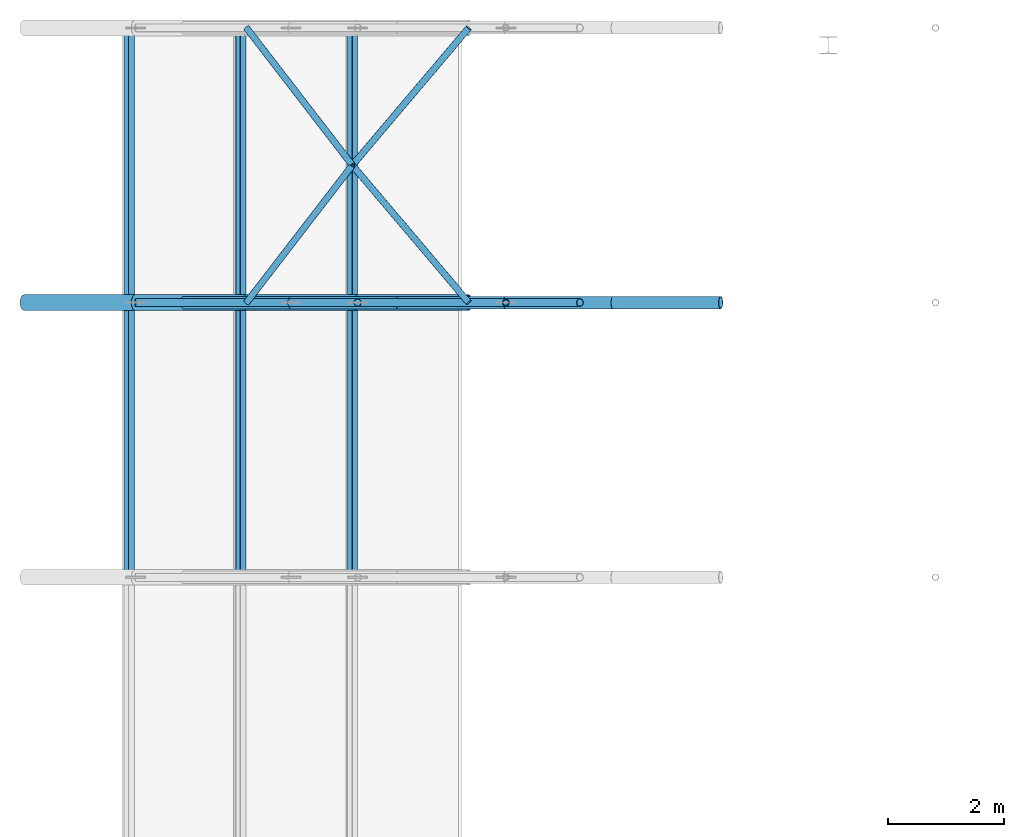
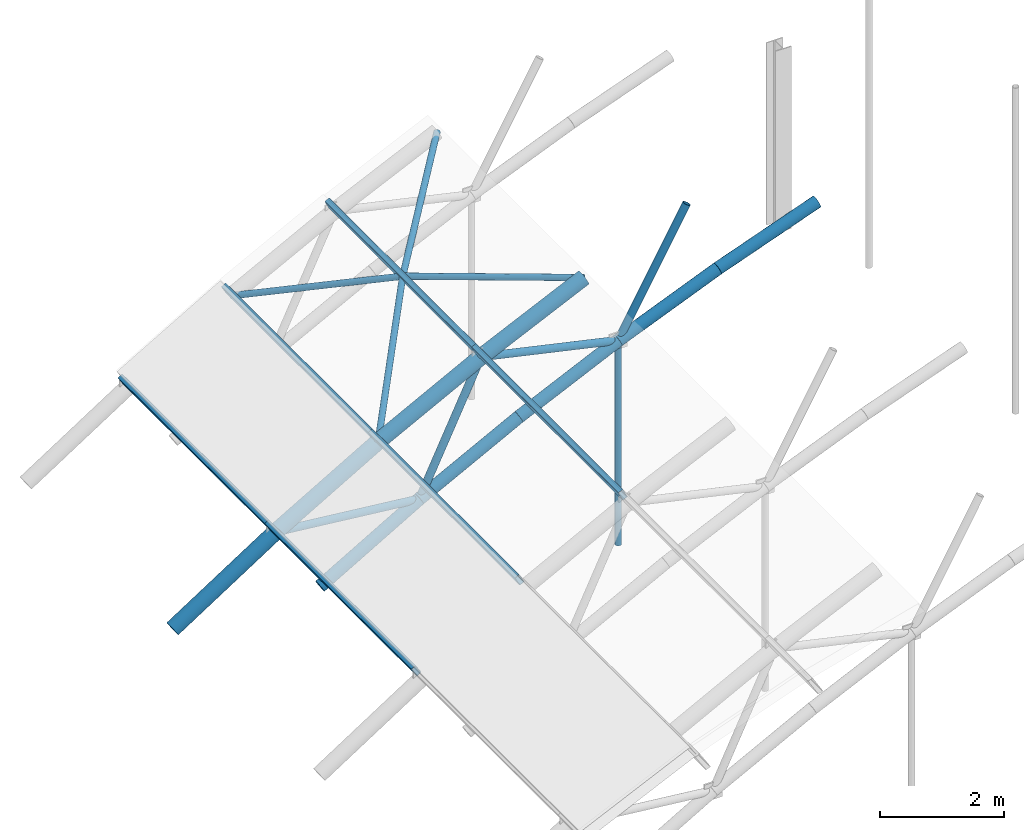
# One storey, part 12 of 50: 24 members.
"""IFC4 building model written with IfcOpenShell, lengths in metres."""

from ifc_helpers import new_model, si_unit, direction, frame, origin, origin_2d, place, context, subcontext, project, spatial, hollow_rectangle, hollow_circle, extrude, material, material_profile, profile_set, type_object, element, save


model = new_model("IFC4")

# Units and contexts
model_context = context("Model", 3, precision=1e-05, world=origin(), true_north=direction((0.0, 1.0)))
body_context = subcontext(model_context, "Body", "Model", "MODEL_VIEW")
ifc_project = project(units=[si_unit("LENGTHUNIT", "METRE"), si_unit("AREAUNIT", "SQUARE_METRE"), si_unit("VOLUMEUNIT", "CUBIC_METRE"), si_unit("PLANEANGLEUNIT", "RADIAN"), si_unit("MASSUNIT", "GRAM", prefix="KILO")], contexts=[model_context])

# Site, building, storey
site_placement = place(None, origin())
site = spatial("IfcSite", under=ifc_project, at=site_placement, CompositionType="ELEMENT")
building_placement = place(site_placement, origin())
building = spatial("IfcBuilding", under=site, at=building_placement, Name="Elbe Cascade School", CompositionType="ELEMENT")
storey_placement = place(building_placement, frame((0.0, 0.0, 15.300048828125)))
storey = spatial("IfcBuildingStorey", under=building, at=storey_placement, Name="L04", CompositionType="ELEMENT", Elevation=15.300048828125)

# Members
ifc_material_1 = material(Name="Steel S355J2H", Category="steel")
ifc_material_profile_1 = material_profile(ifc_material_1, hollow_circle(Radius=0.109619140625, WallThickness=0.012451171875, at=origin_2d()), Name="CHS 219.1x12.5")
ifc_profile_set_1 = profile_set([ifc_material_profile_1], Name="Steel S355J2H")
member_type_1 = type_object("IfcMemberType", Name="Hall rib bottom chord CHS 219.1x12.5", PredefinedType="CHORD", material=ifc_profile_set_1)
member_1_placement = place(storey_placement, frame((9.857177734375, 64.75, -0.509521484375), z_axis=(0.864836718866, 0.0, 0.502053233931), x_axis=(0.0, 1.0, 0.0)))
element("IfcMember", 1, at=member_1_placement, inside=storey, type_object=member_type_1, Name="Hall rib bottom chord CHS 219.1x12.5 M3", PredefinedType="CHORD", context=body_context, shape_type="SweptSolid", body=[
    extrude(hollow_circle(Radius=0.109619140625, WallThickness=0.012451171875, at=origin_2d()), origin(), (0.0, 0.0, 1.0), 2.1474609375),
])
member_2_placement = place(storey_placement, frame((11.71435546875, 64.75, 0.568603515625), z_axis=(0.886913089016, 0.0, 0.461936329523), x_axis=(0.0, 1.0, 0.0)))
element("IfcMember", 2, at=member_2_placement, inside=storey, type_object=member_type_1, Name="Hall rib bottom chord CHS 219.1x12.5 M3", PredefinedType="CHORD", context=body_context, shape_type="SweptSolid", body=[
    extrude(hollow_circle(Radius=0.109619140625, WallThickness=0.012451171875, at=origin_2d()), origin(), (0.0, 0.0, 1.0), 2.093994140625),
])
member_3_placement = place(storey_placement, frame((13.571533203125, 64.75, 1.535888671875), z_axis=(0.90670626979, 0.0, 0.421762658759), x_axis=(0.0, 1.0, 0.0)))
element("IfcMember", 3, at=member_3_placement, inside=storey, type_object=member_type_1, Name="Hall rib bottom chord CHS 219.1x12.5 M3", PredefinedType="CHORD", context=body_context, shape_type="SweptSolid", body=[
    extrude(hollow_circle(Radius=0.109619140625, WallThickness=0.012451171875, at=origin_2d()), origin(), (0.0, 0.0, 1.0), 2.048095703125),
])
member_4_placement = place(storey_placement, frame((15.428466796875, 64.75, 2.399658203125), z_axis=(0.924348085413, 0.0, 0.381550281083), x_axis=(0.0, 1.0, 0.0)))
element("IfcMember", 4, at=member_4_placement, inside=storey, type_object=member_type_1, Name="Hall rib bottom chord CHS 219.1x12.5 M3", PredefinedType="CHORD", context=body_context, shape_type="SweptSolid", body=[
    extrude(hollow_circle(Radius=0.109619140625, WallThickness=0.012451171875, at=origin_2d()), origin(), (0.0, 0.0, 1.0), 2.00927734375),
])
member_5_placement = place(storey_placement, frame((17.28564453125, 64.75, 3.166259765625), z_axis=(0.939919624861, 0.0, 0.341395809582), x_axis=(0.0, 1.0, 0.0)))
element("IfcMember", 5, at=member_5_placement, inside=storey, type_object=member_type_1, Name="Hall rib bottom chord CHS 219.1x12.5 M3", PredefinedType="CHORD", context=body_context, shape_type="SweptSolid", body=[
    extrude(hollow_circle(Radius=0.109619140625, WallThickness=0.012451171875, at=origin_2d()), origin(), (0.0, 0.0, 1.0), 1.975830078125),
])
ifc_material_2 = material(Name="Steel S355J2H", Category="steel")
ifc_material_profile_2 = material_profile(ifc_material_2, hollow_circle(Radius=0.136474609375, WallThickness=0.012451171875, at=origin_2d()), Name="CHS 273x12.5")
ifc_profile_set_2 = profile_set([ifc_material_profile_2], Name="Steel S355J2H")
member_type_2 = type_object("IfcMemberType", Name="Hall rib top chord CHS 273x12.5", PredefinedType="CHORD", material=ifc_profile_set_2)
member_6_placement = place(storey_placement, frame((7.1005859375, 64.75, -0.384765625), z_axis=(0.840219764602, 0.0, 0.542246020891), x_axis=(0.0, 1.0, 0.0)))
element("IfcMember", 6, at=member_6_placement, inside=storey, type_object=member_type_2, Name="Hall rib top chord CHS 273x12.5 M2", PredefinedType="CHORD", context=body_context, shape_type="SweptSolid", body=[
    extrude(hollow_circle(Radius=0.136474609375, WallThickness=0.012451171875, at=origin_2d()), origin(), (0.0, 0.0, 1.0), 2.286865234375),
])
member_7_placement = place(storey_placement, frame((9.02197265625, 64.75, 0.855224609375), z_axis=(0.86482126995, 0.0, 0.502079845286), x_axis=(0.0, 1.0, 0.0)))
element("IfcMember", 7, at=member_7_placement, inside=storey, type_object=member_type_2, Name="Hall rib top chord CHS 273x12.5 M2", PredefinedType="CHORD", context=body_context, shape_type="SweptSolid", body=[
    extrude(hollow_circle(Radius=0.136474609375, WallThickness=0.012451171875, at=origin_2d()), origin(), (0.0, 0.0, 1.0), 2.2216796875),
])
member_8_placement = place(storey_placement, frame((10.943359375, 64.75, 1.970703125), z_axis=(0.886958329454, 0.0, 0.461849457954), x_axis=(0.0, 1.0, 0.0)))
element("IfcMember", 8, at=member_8_placement, inside=storey, type_object=member_type_2, Name="Hall rib top chord CHS 273x12.5 M2", PredefinedType="CHORD", context=body_context, shape_type="SweptSolid", body=[
    extrude(hollow_circle(Radius=0.136474609375, WallThickness=0.012451171875, at=origin_2d()), origin(), (0.0, 0.0, 1.0), 2.166259765625),
])
member_9_placement = place(storey_placement, frame((12.86474609375, 64.75, 2.97119140625), z_axis=(0.906697546089, 0.0, 0.421781412482), x_axis=(0.0, 1.0, 0.0)))
element("IfcMember", 9, at=member_9_placement, inside=storey, type_object=member_type_2, Name="Hall rib top chord CHS 273x12.5 M2", PredefinedType="CHORD", context=body_context, shape_type="SweptSolid", body=[
    extrude(hollow_circle(Radius=0.136474609375, WallThickness=0.012451171875, at=origin_2d()), origin(), (0.0, 0.0, 1.0), 2.119140625),
])
ifc_material_3 = material(Name="Steel S355J2H", Category="steel")
ifc_material_profile_3 = material_profile(ifc_material_3, hollow_circle(Radius=0.06982421875, WallThickness=0.008056640625, at=origin_2d()), Name="CHS 139.7x8")
ifc_profile_set_3 = profile_set([ifc_material_profile_3], Name="Steel S355J2H")
member_type_3 = type_object("IfcMemberType", Name="Hall rib web CHS 139.7x8", PredefinedType="BRACE", material=ifc_profile_set_3)
member_10_placement = place(storey_placement, frame((9.02197265625, 64.75, 0.855224609375), z_axis=(0.994381241781, 0.0, -0.1058581409), x_axis=(0.0, 1.0, 0.0)))
element("IfcMember", 10, at=member_10_placement, inside=storey, type_object=member_type_3, Name="Hall rib web CHS 139.7x8 M4", PredefinedType="BRACE", context=body_context, shape_type="SweptSolid", body=[
    extrude(hollow_circle(Radius=0.06982421875, WallThickness=0.008056640625, at=origin_2d()), origin(), (0.0, 0.0, 1.0), 2.70751953125),
])
member_11_placement = place(storey_placement, frame((11.71435546875, 64.75, 0.568603515625), z_axis=(0.431860834408, 0.0, 0.901940252846), x_axis=(0.0, 1.0, 0.0)))
element("IfcMember", 11, at=member_11_placement, inside=storey, type_object=member_type_3, Name="Hall rib web CHS 139.7x8 M4", PredefinedType="BRACE", context=body_context, shape_type="SweptSolid", body=[
    extrude(hollow_circle(Radius=0.06982421875, WallThickness=0.008056640625, at=origin_2d()), origin(), (0.0, 0.0, 1.0), 2.663818359375),
])
member_12_placement = place(storey_placement, frame((12.86474609375, 64.75, 2.97119140625), z_axis=(0.976040308699, 0.0, -0.217589787893), x_axis=(0.0, 1.0, 0.0)))
element("IfcMember", 12, at=member_12_placement, inside=storey, type_object=member_type_3, Name="Hall rib web CHS 139.7x8 M4", PredefinedType="BRACE", context=body_context, shape_type="SweptSolid", body=[
    extrude(hollow_circle(Radius=0.06982421875, WallThickness=0.008056640625, at=origin_2d()), origin(), (0.0, 0.0, 1.0), 2.626708984375),
])
member_13_placement = place(storey_placement, frame((15.428466796875, 64.75, 2.399658203125), z_axis=(0.492822683539, 0.0, 0.870129761926), x_axis=(0.0, 1.0, 0.0)))
element("IfcMember", 13, at=member_13_placement, inside=storey, type_object=member_type_3, Name="Hall rib web CHS 139.7x8 M4", PredefinedType="BRACE", context=body_context, shape_type="SweptSolid", body=[
    extrude(hollow_circle(Radius=0.06982421875, WallThickness=0.008056640625, at=origin_2d()), origin(), (0.0, 0.0, 1.0), 2.595458984375),
])
ifc_material_4 = material(Name="Steel S355J2H", Category="steel")
ifc_material_profile_4 = material_profile(ifc_material_4, hollow_circle(Radius=0.05712890625, WallThickness=0.00634765625, at=origin_2d()), Name="CHS 114.3x6.3")
ifc_profile_set_4 = profile_set([ifc_material_profile_4], Name="Steel S355J2H")
member_type_4 = type_object("IfcMemberType", Name="Hall roof bracing CHS 114.3x6.3", PredefinedType="BRACE", material=ifc_profile_set_4)
member_14_placement = place(storey_placement, frame((12.7734375, 67.125, 3.156494140625), z_axis=(-0.567594721189, -0.736601046922, -0.367770485701), x_axis=(0.792115177323, -0.610371645684, 0.0)))
element("IfcMember", 14, at=member_14_placement, inside=storey, type_object=member_type_4, Name="Hall roof bracing CHS 114.3x6.3 M9", PredefinedType="BRACE", context=body_context, shape_type="SweptSolid", body=[
    extrude(hollow_circle(Radius=0.05712890625, WallThickness=0.00634765625, at=origin_2d()), origin(), (0.0, 0.0, 1.0), 3.224365234375),
])
member_15_placement = place(storey_placement, frame((12.7734375, 67.125, 3.156494140625), z_axis=(0.630399186919, 0.743877157975, 0.221909078171), x_axis=(-0.762898222969, 0.646518600962, 0.0)))
element("IfcMember", 15, at=member_15_placement, inside=storey, type_object=member_type_4, Name="Hall roof bracing CHS 114.3x6.3 M9", PredefinedType="BRACE", context=body_context, shape_type="SweptSolid", body=[
    extrude(hollow_circle(Radius=0.05712890625, WallThickness=0.00634765625, at=origin_2d()), origin(), (0.0, 0.0, 1.0), 3.192626953125),
])
member_16_placement = place(storey_placement, frame((12.7734375, 67.125, 3.156494140625), z_axis=(-0.567594721189, 0.736601046922, -0.367770485701), x_axis=(-0.792115177323, -0.610371645684, 0.0)))
element("IfcMember", 16, at=member_16_placement, inside=storey, type_object=member_type_4, Name="Hall roof bracing CHS 114.3x6.3 M9", PredefinedType="BRACE", context=body_context, shape_type="SweptSolid", body=[
    extrude(hollow_circle(Radius=0.05712890625, WallThickness=0.00634765625, at=origin_2d()), origin(), (0.0, 0.0, 1.0), 3.224365234375),
])
member_17_placement = place(storey_placement, frame((12.7734375, 67.125, 3.156494140625), z_axis=(0.630399186919, -0.743877157975, 0.221909078171), x_axis=(0.762898222969, 0.646518600962, 0.0)))
element("IfcMember", 17, at=member_17_placement, inside=storey, type_object=member_type_4, Name="Hall roof bracing CHS 114.3x6.3 M9", PredefinedType="BRACE", context=body_context, shape_type="SweptSolid", body=[
    extrude(hollow_circle(Radius=0.05712890625, WallThickness=0.00634765625, at=origin_2d()), origin(), (0.0, 0.0, 1.0), 3.192626953125),
])
ifc_material_5 = material(Name="Steel S355J2H", Category="steel")
ifc_material_profile_5 = material_profile(ifc_material_5, hollow_rectangle(XDim=0.10009765625, YDim=0.199951171875, WallThickness=0.008056640625, InnerFilletRadius=0.008056640625, OuterFilletRadius=0.011962890625, at=origin_2d()), Name="RHS 200x100x8")
ifc_profile_set_5 = profile_set([ifc_material_profile_5], Name="Steel S355J2H")
member_type_5 = type_object("IfcMemberType", Name="Hall roof purlin RHS 200x100x8", PredefinedType="PURLIN", material=ifc_profile_set_5)
for number, where, z_axis, x_axis, name in (
    (18, (8.9140625, 60.0, 1.03125), (0.0, 1.0, 0.0), (-0.852940758882, 0.0, -0.52200772201), "Hall roof purlin RHS 200x100x8 M8"),
    (19, (8.9140625, 64.75, 1.03125), (0.0, 1.0, 0.0), (-0.852940758882, 0.0, -0.52200772201), "Hall roof purlin RHS 200x100x8 M8"),
    (20, (10.84375, 60.0, 2.151611328125), (0.0, 1.0, 0.0), (-0.876251912848, 0.0, -0.481853281851), "Hall roof purlin RHS 200x100x8 M8"),
    (21, (10.84375, 64.75, 2.151611328125), (0.0, 1.0, 0.0), (-0.876251912848, 0.0, -0.481853281851), "Hall roof purlin RHS 200x100x8 M8"),
    (22, (12.7734375, 60.0, 3.156494140625), (0.0, 1.0, 0.0), (-0.897163381573, 0.0, -0.441698841706), "Hall roof purlin RHS 200x100x8 M8"),
    (23, (12.7734375, 64.75, 3.156494140625), (0.0, 1.0, 0.0), (-0.897163381573, 0.0, -0.441698841706), "Hall roof purlin RHS 200x100x8 M8"),
):
    element("IfcMember", number, at=place(storey_placement, frame(where, z_axis=z_axis, x_axis=x_axis)), inside=storey, type_object=member_type_5, Name=name, PredefinedType="PURLIN", context=body_context, shape_type="SweptSolid", body=[
        extrude(hollow_rectangle(XDim=0.10009765625, YDim=0.199951171875, WallThickness=0.008056640625, InnerFilletRadius=0.008056640625, OuterFilletRadius=0.011962890625, at=origin_2d()), origin(), (0.0, 0.0, 1.0), 4.75),
    ])
ifc_material_6 = material(Name="Steel S355J2H", Category="steel")
ifc_material_profile_6 = material_profile(ifc_material_6, hollow_circle(Radius=0.05712890625, WallThickness=0.00634765625, at=origin_2d()), Name="CHS 114.3x6.3")
ifc_profile_set_6 = profile_set([ifc_material_profile_6], Name="Steel S355J2H")
member_type_6 = type_object("IfcMemberType", Name="Hall tie hanger CHS 114.3x6.3", PredefinedType="POST", material=ifc_profile_set_6)
member_18_placement = place(storey_placement, frame((15.428466796875, 64.75, -1.623779296875), z_axis=(0.0, 0.0, 1.0), x_axis=(1.0, 0.0, 0.0)))
element("IfcMember", 24, at=member_18_placement, inside=storey, type_object=member_type_6, Name="Hall tie hanger CHS 114.3x6.3 M7", PredefinedType="POST", context=body_context, shape_type="SweptSolid", body=[
    extrude(hollow_circle(Radius=0.05712890625, WallThickness=0.00634765625, at=origin_2d()), origin(), (0.0, 0.0, 1.0), 3.90380859375),
])

save(model, "model.ifc")
